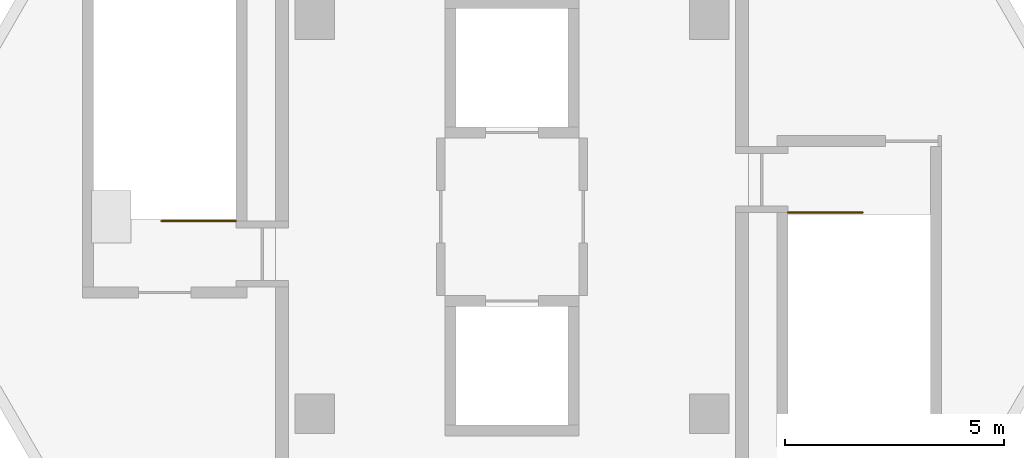
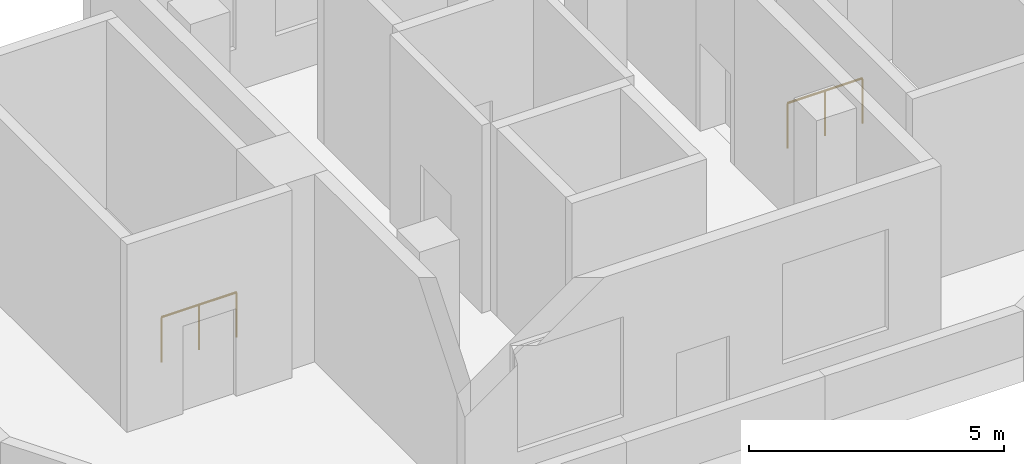
# One storey, part 3 of 3: 2 railings.
"""IFC4 building model written with IfcOpenShell, lengths in metres."""

from ifc_helpers import new_model, si_unit, direction, frame, origin, origin_2d, place, context, subcontext, project, spatial, circle, extrude, material, type_object, element, save


model = new_model("IFC4")

# Units and contexts
model_context = context("Model", 3, precision=1e-05, world=origin(), true_north=direction((0.0, 1.0)))
body_context = subcontext(model_context, "Body", "Model", "MODEL_VIEW")
ifc_project = project(units=[si_unit("LENGTHUNIT", "METRE"), si_unit("AREAUNIT", "SQUARE_METRE"), si_unit("VOLUMEUNIT", "CUBIC_METRE"), si_unit("PLANEANGLEUNIT", "RADIAN"), si_unit("MASSUNIT", "GRAM", prefix="KILO")], contexts=[model_context])

# Site, building, storey
site_placement = place(None, origin())
site = spatial("IfcSite", under=ifc_project, at=site_placement, CompositionType="ELEMENT")
building_placement = place(site_placement, origin())
building = spatial("IfcBuilding", under=site, at=building_placement, Name="Dhurran Vertical Campus", CompositionType="ELEMENT")
storey_placement = place(building_placement, frame((0.0, 0.0, 341.39990234375)))
storey = spatial("IfcBuildingStorey", under=building, at=storey_placement, Name="Roof", CompositionType="ELEMENT", Elevation=341.39990234375)

# Railings
ifc_material = material(Name="Stainless steel balustrade", Category="steel")
railing_type = type_object("IfcRailingType", Name="co-RL-GUARD-1100", PredefinedType="GUARDRAIL", material=ifc_material)
railing_1_placement = place(storey_placement, frame((-6.300048828125, -0.10009765625, 0.0)))
element("IfcRailing", 1, at=railing_1_placement, inside=storey, type_object=railing_type, Name="Roof ST5 top well guard 1", PredefinedType="GUARDRAIL", context=body_context, shape_type="SweptSolid", body=[
    extrude(circle(Radius=0.02392578125, at=origin_2d()), frame((0.0, 0.0, 1.076171875), z_axis=(-1.0, 0.0, 0.0), x_axis=(0.0, -1.0, 0.0)), (0.0, 0.0, 1.0), 1.699951171875),
    extrude(circle(Radius=0.02099609375, at=origin_2d()), origin(), (0.0, 0.0, 1.0), 1.052001953125),
    extrude(circle(Radius=0.02099609375, at=origin_2d()), frame((-0.85009765625, 0.0, 0.0)), (0.0, 0.0, 1.0), 1.052001953125),
    extrude(circle(Radius=0.02099609375, at=origin_2d()), frame((-1.699951171875, 0.0, 0.0)), (0.0, 0.0, 1.0), 1.052001953125),
])
railing_2_placement = place(storey_placement, frame((6.300048828125, 0.10009765625, 0.0)))
element("IfcRailing", 2, at=railing_2_placement, inside=storey, type_object=railing_type, Name="Roof ST6 top well guard 1", PredefinedType="GUARDRAIL", context=body_context, shape_type="SweptSolid", body=[
    extrude(circle(Radius=0.02392578125, at=origin_2d()), frame((0.0, 0.0, 1.076171875), z_axis=(1.0, 0.0, 0.0), x_axis=(0.0, 1.0, 0.0)), (0.0, 0.0, 1.0), 1.699951171875),
    extrude(circle(Radius=0.02099609375, at=origin_2d()), origin(), (0.0, 0.0, 1.0), 1.052001953125),
    extrude(circle(Radius=0.02099609375, at=origin_2d()), frame((0.85009765625, 0.0, 0.0)), (0.0, 0.0, 1.0), 1.052001953125),
    extrude(circle(Radius=0.02099609375, at=origin_2d()), frame((1.699951171875, 0.0, 0.0)), (0.0, 0.0, 1.0), 1.052001953125),
])

save(model, "model.ifc")
